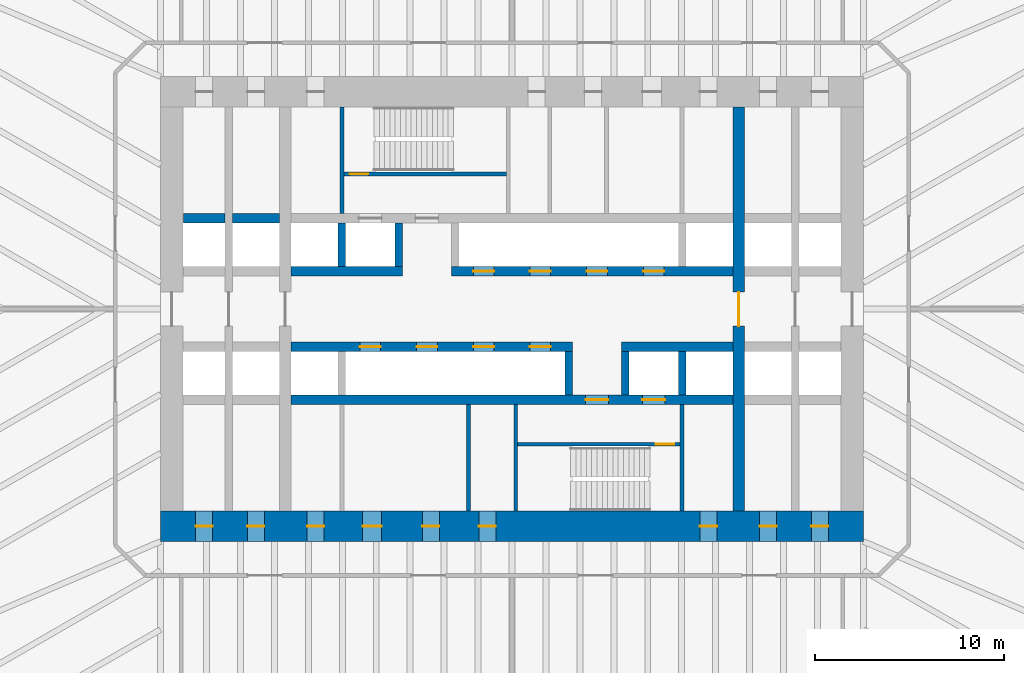
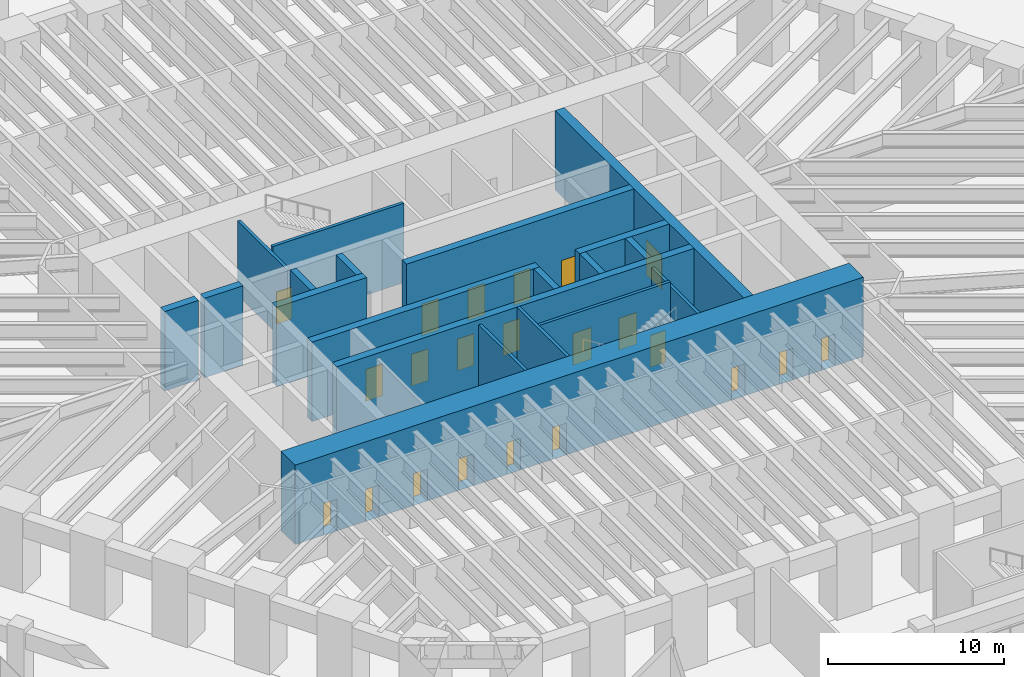
# One storey, part 27 of 31: 22 doors, 20 walls, 22 openings.
"""IFC4 building model written with IfcOpenShell, lengths in metres."""

from ifc_helpers import new_model, si_unit, direction, frame, frame_2d, origin, place, context, subcontext, project, spatial, rectangle, extrude, material, layer, layer_set, type_object, element, fill, save


model = new_model("IFC4")

# Units and contexts
model_context = context("Model", 3, precision=1e-05, world=origin(), true_north=direction((0.0, 1.0)))
body_context = subcontext(model_context, "Body", "Model", "MODEL_VIEW")
ifc_project = project(units=[si_unit("LENGTHUNIT", "METRE"), si_unit("AREAUNIT", "SQUARE_METRE"), si_unit("VOLUMEUNIT", "CUBIC_METRE"), si_unit("PLANEANGLEUNIT", "RADIAN"), si_unit("MASSUNIT", "GRAM", prefix="KILO")], contexts=[model_context])

# Site, building, storey
site_placement = place(None, origin())
site = spatial("IfcSite", under=ifc_project, at=site_placement, CompositionType="ELEMENT")
building_placement = place(site_placement, origin())
building = spatial("IfcBuilding", under=site, at=building_placement, Name="Tarfa Lantern Tower", CompositionType="ELEMENT")
storey_placement = place(building_placement, frame((0.0, 0.0, 13.0)))
storey = spatial("IfcBuildingStorey", under=building, at=storey_placement, Name="L02", CompositionType="ELEMENT", Elevation=13.0)

# Walls
ifc_material_1 = material(Name="Concrete blockwork", Category="masonry")
ifc_layer_1 = layer(ifc_material_1, 0.199951171875)
ifc_layer_set_1 = layer_set([ifc_layer_1], Name="IW1 BLOCKWORK PARTITION 200 EI 120")
wall_type_1 = type_object("IfcWallType", Name="IW1 BLOCKWORK PARTITION 200 EI 120", PredefinedType="PARTITIONING", material=ifc_layer_set_1)
for number, where, z_axis, x_axis, name in (
    (1, (-9.0, 5.050048828125, 0.0), (0.0, 0.0, 1.0), (0.0, 1.0, 0.0), "Core partition"),
    (2, (9.0, -5.050048828125, 0.0), (0.0, 0.0, 1.0), (0.0, -1.0, 0.0), "Core partition"),
    (3, (-2.300048828125, -5.050048828125, 0.0), (0.0, 0.0, 1.0), (0.0, -1.0, 0.0), "Core partition"),
):
    element("IfcWall", number, at=place(storey_placement, frame(where, z_axis=z_axis, x_axis=x_axis)), inside=storey, type_object=wall_type_1, Name=name, PredefinedType="PARTITIONING", context=body_context, shape_type="SweptSolid", body=[
        extrude(rectangle(XDim=5.64990234375, YDim=0.199951171875, at=frame_2d((2.824951171875, 0.0))), origin(), (0.0, 0.0, 1.0), 5.14990234375),
    ])

# Wall, opening, door
ifc_material_2 = material(Name="Concrete C80/95", Category="concrete")
ifc_layer_2 = layer(ifc_material_2, 0.199951171875)
ifc_layer_set_2 = layer_set([ifc_layer_2], Name="SW12 CORE WALL 200")
wall_type_2 = type_object("IfcWallType", Name="SW12 CORE WALL 200", PredefinedType="SHEAR", material=ifc_layer_set_2)
wall_1_placement = place(storey_placement, frame((-8.89990234375, 7.14990234375, 0.0), z_axis=(0.0, 0.0, 1.0), x_axis=(1.0, 0.0, 0.0)))
wall_1 = element("IfcWall", 4, at=wall_1_placement, inside=storey, type_object=wall_type_2, Name="Core wall stair partition N", PredefinedType="SHEAR", context=body_context, shape_type="SweptSolid", body=[
    extrude(rectangle(XDim=8.599853515625, YDim=0.199951171875, at=frame_2d((4.2998046875, 0.0))), origin(), (0.0, 0.0, 1.0), 5.5),
])
opening_1_placement = place(wall_1_placement, frame((0.300048828125, 0.0, 0.0)))
opening_1 = element("IfcOpeningElement", 5, at=opening_1_placement, cuts=wall_1, Name="Opening D23", PredefinedType="OPENING", context=body_context, shape_type="SweptSolid", body=[
    extrude(rectangle(XDim=1.0, YDim=2.199951171875, at=frame_2d((0.5, 1.10009765625))), frame((0.0, 0.10986328125, 0.0), z_axis=(0.0, -1.0, 0.0), x_axis=(1.0, 0.0, 0.0)), (0.0, 0.0, 1.0), 0.219970703125),
])
ifc_material_3 = material(Name="Steel fire door", Category="steel")
door_type_1 = type_object("IfcDoorType", Name="DF2 STAIR DOOR 1000x2200", OperationType="SINGLE_SWING_LEFT", PredefinedType="DOOR", material=ifc_material_3)
door_1_placement = place(opening_1_placement, origin())
door_1 = element("IfcDoor", 6, at=door_1_placement, inside=storey, type_object=door_type_1, Name="Stair door", OperationType="SINGLE_SWING_RIGHT", OverallHeight=2.199951171875, OverallWidth=1.0, PredefinedType="DOOR", context=body_context, shape_type="SweptSolid", body=[
    extrude(rectangle(XDim=1.0, YDim=2.199951171875, at=frame_2d((0.5, 1.10009765625))), frame((0.0, 0.02490234375, 0.0), z_axis=(0.0, -1.0, 0.0), x_axis=(1.0, 0.0, 0.0)), (0.0, 0.0, 1.0), 0.050048828125),
])
fill(opening_1, door_1)

# Wall
wall_2_placement = place(storey_placement, frame((0.199951171875, -5.050048828125, 0.0), z_axis=(0.0, 0.0, 1.0), x_axis=(0.0, -1.0, 0.0)))
element("IfcWall", 7, at=wall_2_placement, inside=storey, type_object=wall_type_2, Name="Core wall stair shaft S", PredefinedType="SHEAR", context=body_context, shape_type="SweptSolid", body=[
    extrude(rectangle(XDim=5.64990234375, YDim=0.199951171875, at=frame_2d((2.824951171875, 0.0))), origin(), (0.0, 0.0, 1.0), 5.5),
])

# Wall, opening, door
wall_3_placement = place(storey_placement, frame((8.89990234375, -7.14990234375, 0.0), z_axis=(0.0, 0.0, 1.0), x_axis=(-1.0, 0.0, 0.0)))
wall_3 = element("IfcWall", 8, at=wall_3_placement, inside=storey, type_object=wall_type_2, Name="Core wall stair partition S", PredefinedType="SHEAR", context=body_context, shape_type="SweptSolid", body=[
    extrude(rectangle(XDim=8.599853515625, YDim=0.199951171875, at=frame_2d((4.2998046875, 0.0))), origin(), (0.0, 0.0, 1.0), 5.5),
])
opening_2_placement = place(wall_3_placement, frame((0.300048828125, 0.0, 0.0)))
opening_2 = element("IfcOpeningElement", 9, at=opening_2_placement, cuts=wall_3, Name="Opening D24", PredefinedType="OPENING", context=body_context, shape_type="SweptSolid", body=[
    extrude(rectangle(XDim=1.0, YDim=2.199951171875, at=frame_2d((0.5, 1.10009765625))), frame((0.0, 0.10986328125, 0.0), z_axis=(0.0, -1.0, 0.0), x_axis=(1.0, 0.0, 0.0)), (0.0, 0.0, 1.0), 0.219970703125),
])
door_2_placement = place(opening_2_placement, origin())
door_2 = element("IfcDoor", 10, at=door_2_placement, inside=storey, type_object=door_type_1, Name="Stair door", OperationType="SINGLE_SWING_RIGHT", OverallHeight=2.199951171875, OverallWidth=1.0, PredefinedType="DOOR", context=body_context, shape_type="SweptSolid", body=[
    extrude(rectangle(XDim=1.0, YDim=2.199951171875, at=frame_2d((0.5, 1.10009765625))), frame((0.0, 0.02490234375, 0.0), z_axis=(0.0, -1.0, 0.0), x_axis=(1.0, 0.0, 0.0)), (0.0, 0.0, 1.0), 0.050048828125),
])
fill(opening_2, door_2)

# Wall
ifc_layer_3 = layer(ifc_material_2, 0.5)
ifc_layer_set_3 = layer_set([ifc_layer_3], Name="SW5 CORE WALL 500")
wall_type_3 = type_object("IfcWallType", Name="SW5 CORE WALL 500", PredefinedType="SHEAR", material=ifc_layer_set_3)
wall_4_placement = place(storey_placement, frame((-11.699951171875, 2.0, 0.0), z_axis=(0.0, 0.0, 1.0), x_axis=(1.0, 0.0, 0.0)))
element("IfcWall", 11, at=wall_4_placement, inside=storey, type_object=wall_type_3, Name="Core wall lobby west N", PredefinedType="SHEAR", context=body_context, shape_type="SweptSolid", body=[
    extrude(rectangle(XDim=5.89990234375, YDim=0.5, at=frame_2d((2.949951171875, 0.0))), origin(), (0.0, 0.0, 1.0), 5.5),
])

# Wall, openings, doors
wall_5_placement = place(storey_placement, frame((-3.199951171875, 2.0, 0.0), z_axis=(0.0, 0.0, 1.0), x_axis=(1.0, 0.0, 0.0)))
wall_5 = element("IfcWall", 12, at=wall_5_placement, inside=storey, type_object=wall_type_3, Name="Core wall lobby east N", PredefinedType="SHEAR", context=body_context, shape_type="SweptSolid", body=[
    extrude(rectangle(XDim=14.89990234375, YDim=0.5, at=frame_2d((7.449951171875, 0.0))), origin(), (0.0, 0.0, 1.0), 5.5),
])
opening_3_placement = place(wall_5_placement, frame((1.14990234375, 0.0, 0.0)))
opening_3 = element("IfcOpeningElement", 13, at=opening_3_placement, cuts=wall_5, Name="Opening LD03", PredefinedType="OPENING", context=body_context, shape_type="SweptSolid", body=[
    extrude(rectangle(XDim=1.10009765625, YDim=2.199951171875, at=frame_2d((0.550048828125, 1.10009765625))), frame((0.0, 0.260009765625, 0.0), z_axis=(0.0, -1.0, 0.0), x_axis=(1.0, 0.0, 0.0)), (0.0, 0.0, 1.0), 0.52001953125),
])
opening_4_placement = place(wall_5_placement, frame((4.14990234375, 0.0, 0.0)))
opening_4 = element("IfcOpeningElement", 14, at=opening_4_placement, cuts=wall_5, Name="Opening LD04", PredefinedType="OPENING", context=body_context, shape_type="SweptSolid", body=[
    extrude(rectangle(XDim=1.10009765625, YDim=2.199951171875, at=frame_2d((0.550048828125, 1.10009765625))), frame((0.0, 0.260009765625, 0.0), z_axis=(0.0, -1.0, 0.0), x_axis=(1.0, 0.0, 0.0)), (0.0, 0.0, 1.0), 0.52001953125),
])
opening_5_placement = place(wall_5_placement, frame((7.14990234375, 0.0, 0.0)))
opening_5 = element("IfcOpeningElement", 15, at=opening_5_placement, cuts=wall_5, Name="Opening LD05", PredefinedType="OPENING", context=body_context, shape_type="SweptSolid", body=[
    extrude(rectangle(XDim=1.10009765625, YDim=2.199951171875, at=frame_2d((0.550048828125, 1.10009765625))), frame((0.0, 0.260009765625, 0.0), z_axis=(0.0, -1.0, 0.0), x_axis=(1.0, 0.0, 0.0)), (0.0, 0.0, 1.0), 0.52001953125),
])
opening_6_placement = place(wall_5_placement, frame((10.14990234375, 0.0, 0.0)))
opening_6 = element("IfcOpeningElement", 16, at=opening_6_placement, cuts=wall_5, Name="Opening LD06", PredefinedType="OPENING", context=body_context, shape_type="SweptSolid", body=[
    extrude(rectangle(XDim=1.10009765625, YDim=2.199951171875, at=frame_2d((0.550048828125, 1.10009765625))), frame((0.0, 0.260009765625, 0.0), z_axis=(0.0, -1.0, 0.0), x_axis=(1.0, 0.0, 0.0)), (0.0, 0.0, 1.0), 0.52001953125),
])
ifc_material_4 = material(Name="Stainless steel lift door", Category="steel")
door_type_2 = type_object("IfcDoorType", Name="LD2 LIFT LANDING DOOR 1100x2200", OperationType="SLIDING_TO_LEFT", PredefinedType="DOOR", material=ifc_material_4)
door_3_placement = place(opening_3_placement, frame((1.10009765625, 0.0, 0.0), z_axis=(0.0, 0.0, 1.0), x_axis=(-1.0, 0.0, 0.0)))
door_3 = element("IfcDoor", 17, at=door_3_placement, inside=storey, type_object=door_type_2, Name="Landing door PA1", OperationType="SLIDING_TO_LEFT", OverallHeight=2.199951171875, OverallWidth=1.10009765625, PredefinedType="DOOR", context=body_context, shape_type="SweptSolid", body=[
    extrude(rectangle(XDim=1.10009765625, YDim=2.199951171875, at=frame_2d((0.550048828125, 1.10009765625))), frame((0.0, 0.02490234375, 0.0), z_axis=(0.0, -1.0, 0.0), x_axis=(1.0, 0.0, 0.0)), (0.0, 0.0, 1.0), 0.050048828125),
])
fill(opening_3, door_3)
door_4_placement = place(opening_4_placement, frame((1.10009765625, 0.0, 0.0), z_axis=(0.0, 0.0, 1.0), x_axis=(-1.0, 0.0, 0.0)))
door_4 = element("IfcDoor", 18, at=door_4_placement, inside=storey, type_object=door_type_2, Name="Landing door PA2", OperationType="SLIDING_TO_LEFT", OverallHeight=2.199951171875, OverallWidth=1.10009765625, PredefinedType="DOOR", context=body_context, shape_type="SweptSolid", body=[
    extrude(rectangle(XDim=1.10009765625, YDim=2.199951171875, at=frame_2d((0.550048828125, 1.10009765625))), frame((0.0, 0.02490234375, 0.0), z_axis=(0.0, -1.0, 0.0), x_axis=(1.0, 0.0, 0.0)), (0.0, 0.0, 1.0), 0.050048828125),
])
fill(opening_4, door_4)
door_5_placement = place(opening_5_placement, frame((1.10009765625, 0.0, 0.0), z_axis=(0.0, 0.0, 1.0), x_axis=(-1.0, 0.0, 0.0)))
door_5 = element("IfcDoor", 19, at=door_5_placement, inside=storey, type_object=door_type_2, Name="Landing door PA3", OperationType="SLIDING_TO_LEFT", OverallHeight=2.199951171875, OverallWidth=1.10009765625, PredefinedType="DOOR", context=body_context, shape_type="SweptSolid", body=[
    extrude(rectangle(XDim=1.10009765625, YDim=2.199951171875, at=frame_2d((0.550048828125, 1.10009765625))), frame((0.0, 0.02490234375, 0.0), z_axis=(0.0, -1.0, 0.0), x_axis=(1.0, 0.0, 0.0)), (0.0, 0.0, 1.0), 0.050048828125),
])
fill(opening_5, door_5)
door_6_placement = place(opening_6_placement, frame((1.10009765625, 0.0, 0.0), z_axis=(0.0, 0.0, 1.0), x_axis=(-1.0, 0.0, 0.0)))
door_6 = element("IfcDoor", 20, at=door_6_placement, inside=storey, type_object=door_type_2, Name="Landing door PA4", OperationType="SLIDING_TO_LEFT", OverallHeight=2.199951171875, OverallWidth=1.10009765625, PredefinedType="DOOR", context=body_context, shape_type="SweptSolid", body=[
    extrude(rectangle(XDim=1.10009765625, YDim=2.199951171875, at=frame_2d((0.550048828125, 1.10009765625))), frame((0.0, 0.02490234375, 0.0), z_axis=(0.0, -1.0, 0.0), x_axis=(1.0, 0.0, 0.0)), (0.0, 0.0, 1.0), 0.050048828125),
])
fill(opening_6, door_6)

# Walls
wall_6_placement = place(storey_placement, frame((-17.39990234375, 4.800048828125, 0.0), z_axis=(0.0, 0.0, 1.0), x_axis=(1.0, 0.0, 0.0)))
element("IfcWall", 21, at=wall_6_placement, inside=storey, type_object=wall_type_3, Name="Core wall rear N", PredefinedType="SHEAR", context=body_context, shape_type="SweptSolid", body=[
    extrude(rectangle(XDim=2.199951171875, YDim=0.5, at=frame_2d((1.10009765625, 0.0))), origin(), (0.0, 0.0, 1.0), 5.5),
])
wall_7_placement = place(storey_placement, frame((-14.800048828125, 4.800048828125, 0.0), z_axis=(0.0, 0.0, 1.0), x_axis=(1.0, 0.0, 0.0)))
element("IfcWall", 22, at=wall_7_placement, inside=storey, type_object=wall_type_3, Name="Core wall rear N", PredefinedType="SHEAR", context=body_context, shape_type="SweptSolid", body=[
    extrude(rectangle(XDim=2.5, YDim=0.5, at=frame_2d((1.25, 0.0))), origin(), (0.0, 0.0, 1.0), 5.5),
])
wall_8_placement = place(storey_placement, frame((11.699951171875, -2.0, 0.0), z_axis=(0.0, 0.0, 1.0), x_axis=(-1.0, 0.0, 0.0)))
element("IfcWall", 23, at=wall_8_placement, inside=storey, type_object=wall_type_3, Name="Core wall lobby west S", PredefinedType="SHEAR", context=body_context, shape_type="SweptSolid", body=[
    extrude(rectangle(XDim=5.89990234375, YDim=0.5, at=frame_2d((2.949951171875, 0.0))), origin(), (0.0, 0.0, 1.0), 5.5),
])

# Wall, openings, doors
wall_9_placement = place(storey_placement, frame((3.199951171875, -2.0, 0.0), z_axis=(0.0, 0.0, 1.0), x_axis=(-1.0, 0.0, 0.0)))
wall_9 = element("IfcWall", 24, at=wall_9_placement, inside=storey, type_object=wall_type_3, Name="Core wall lobby east S", PredefinedType="SHEAR", context=body_context, shape_type="SweptSolid", body=[
    extrude(rectangle(XDim=14.89990234375, YDim=0.5, at=frame_2d((7.449951171875, 0.0))), origin(), (0.0, 0.0, 1.0), 5.5),
])
opening_7_placement = place(wall_9_placement, frame((1.14990234375, 0.0, 0.0)))
opening_7 = element("IfcOpeningElement", 25, at=opening_7_placement, cuts=wall_9, Name="Opening LD07", PredefinedType="OPENING", context=body_context, shape_type="SweptSolid", body=[
    extrude(rectangle(XDim=1.10009765625, YDim=2.199951171875, at=frame_2d((0.550048828125, 1.10009765625))), frame((0.0, 0.260009765625, 0.0), z_axis=(0.0, -1.0, 0.0), x_axis=(1.0, 0.0, 0.0)), (0.0, 0.0, 1.0), 0.52001953125),
])
opening_8_placement = place(wall_9_placement, frame((4.14990234375, 0.0, 0.0)))
opening_8 = element("IfcOpeningElement", 26, at=opening_8_placement, cuts=wall_9, Name="Opening LD08", PredefinedType="OPENING", context=body_context, shape_type="SweptSolid", body=[
    extrude(rectangle(XDim=1.10009765625, YDim=2.199951171875, at=frame_2d((0.550048828125, 1.10009765625))), frame((0.0, 0.260009765625, 0.0), z_axis=(0.0, -1.0, 0.0), x_axis=(1.0, 0.0, 0.0)), (0.0, 0.0, 1.0), 0.52001953125),
])
opening_9_placement = place(wall_9_placement, frame((7.14990234375, 0.0, 0.0)))
opening_9 = element("IfcOpeningElement", 27, at=opening_9_placement, cuts=wall_9, Name="Opening LD09", PredefinedType="OPENING", context=body_context, shape_type="SweptSolid", body=[
    extrude(rectangle(XDim=1.10009765625, YDim=2.199951171875, at=frame_2d((0.550048828125, 1.10009765625))), frame((0.0, 0.260009765625, 0.0), z_axis=(0.0, -1.0, 0.0), x_axis=(1.0, 0.0, 0.0)), (0.0, 0.0, 1.0), 0.52001953125),
])
opening_10_placement = place(wall_9_placement, frame((10.14990234375, 0.0, 0.0)))
opening_10 = element("IfcOpeningElement", 28, at=opening_10_placement, cuts=wall_9, Name="Opening LD10", PredefinedType="OPENING", context=body_context, shape_type="SweptSolid", body=[
    extrude(rectangle(XDim=1.10009765625, YDim=2.199951171875, at=frame_2d((0.550048828125, 1.10009765625))), frame((0.0, 0.260009765625, 0.0), z_axis=(0.0, -1.0, 0.0), x_axis=(1.0, 0.0, 0.0)), (0.0, 0.0, 1.0), 0.52001953125),
])
door_7_placement = place(opening_7_placement, frame((1.10009765625, 0.0, 0.0), z_axis=(0.0, 0.0, 1.0), x_axis=(-1.0, 0.0, 0.0)))
door_7 = element("IfcDoor", 29, at=door_7_placement, inside=storey, type_object=door_type_2, Name="Landing door PA5", OperationType="SLIDING_TO_LEFT", OverallHeight=2.199951171875, OverallWidth=1.10009765625, PredefinedType="DOOR", context=body_context, shape_type="SweptSolid", body=[
    extrude(rectangle(XDim=1.10009765625, YDim=2.199951171875, at=frame_2d((0.550048828125, 1.10009765625))), frame((0.0, 0.02490234375, 0.0), z_axis=(0.0, -1.0, 0.0), x_axis=(1.0, 0.0, 0.0)), (0.0, 0.0, 1.0), 0.050048828125),
])
fill(opening_7, door_7)
door_8_placement = place(opening_8_placement, frame((1.10009765625, 0.0, 0.0), z_axis=(0.0, 0.0, 1.0), x_axis=(-1.0, 0.0, 0.0)))
door_8 = element("IfcDoor", 30, at=door_8_placement, inside=storey, type_object=door_type_2, Name="Landing door PA6", OperationType="SLIDING_TO_LEFT", OverallHeight=2.199951171875, OverallWidth=1.10009765625, PredefinedType="DOOR", context=body_context, shape_type="SweptSolid", body=[
    extrude(rectangle(XDim=1.10009765625, YDim=2.199951171875, at=frame_2d((0.550048828125, 1.10009765625))), frame((0.0, 0.02490234375, 0.0), z_axis=(0.0, -1.0, 0.0), x_axis=(1.0, 0.0, 0.0)), (0.0, 0.0, 1.0), 0.050048828125),
])
fill(opening_8, door_8)
door_9_placement = place(opening_9_placement, frame((1.10009765625, 0.0, 0.0), z_axis=(0.0, 0.0, 1.0), x_axis=(-1.0, 0.0, 0.0)))
door_9 = element("IfcDoor", 31, at=door_9_placement, inside=storey, type_object=door_type_2, Name="Landing door PA7", OperationType="SLIDING_TO_LEFT", OverallHeight=2.199951171875, OverallWidth=1.10009765625, PredefinedType="DOOR", context=body_context, shape_type="SweptSolid", body=[
    extrude(rectangle(XDim=1.10009765625, YDim=2.199951171875, at=frame_2d((0.550048828125, 1.10009765625))), frame((0.0, 0.02490234375, 0.0), z_axis=(0.0, -1.0, 0.0), x_axis=(1.0, 0.0, 0.0)), (0.0, 0.0, 1.0), 0.050048828125),
])
fill(opening_9, door_9)
door_10_placement = place(opening_10_placement, frame((1.10009765625, 0.0, 0.0), z_axis=(0.0, 0.0, 1.0), x_axis=(-1.0, 0.0, 0.0)))
door_10 = element("IfcDoor", 32, at=door_10_placement, inside=storey, type_object=door_type_2, Name="Landing door PA8", OperationType="SLIDING_TO_LEFT", OverallHeight=2.199951171875, OverallWidth=1.10009765625, PredefinedType="DOOR", context=body_context, shape_type="SweptSolid", body=[
    extrude(rectangle(XDim=1.10009765625, YDim=2.199951171875, at=frame_2d((0.550048828125, 1.10009765625))), frame((0.0, 0.02490234375, 0.0), z_axis=(0.0, -1.0, 0.0), x_axis=(1.0, 0.0, 0.0)), (0.0, 0.0, 1.0), 0.050048828125),
])
fill(opening_10, door_10)

wall_10_placement = place(storey_placement, frame((11.699951171875, -4.800048828125, 0.0), z_axis=(0.0, 0.0, 1.0), x_axis=(-1.0, 0.0, 0.0)))
wall_10 = element("IfcWall", 33, at=wall_10_placement, inside=storey, type_object=wall_type_3, Name="Core wall rear S", PredefinedType="SHEAR", context=body_context, shape_type="SweptSolid", body=[
    extrude(rectangle(XDim=23.39990234375, YDim=0.5, at=frame_2d((11.699951171875, 0.0))), origin(), (0.0, 0.0, 1.0), 5.5),
])
opening_11_placement = place(wall_10_placement, frame((6.60009765625, 0.0, 0.0)))
opening_11 = element("IfcOpeningElement", 34, at=opening_11_placement, cuts=wall_10, Name="Opening D14", PredefinedType="OPENING", context=body_context, shape_type="SweptSolid", body=[
    extrude(rectangle(XDim=1.199951171875, YDim=2.199951171875, at=frame_2d((0.60009765625, 1.10009765625))), frame((0.0, 0.260009765625, 0.0), z_axis=(0.0, -1.0, 0.0), x_axis=(1.0, 0.0, 0.0)), (0.0, 0.0, 1.0), 0.52001953125),
])
opening_12_placement = place(wall_10_placement, frame((3.60009765625, 0.0, 0.0)))
opening_12 = element("IfcOpeningElement", 35, at=opening_12_placement, cuts=wall_10, Name="Opening LD02", PredefinedType="OPENING", context=body_context, shape_type="SweptSolid", body=[
    extrude(rectangle(XDim=1.199951171875, YDim=2.199951171875, at=frame_2d((0.60009765625, 1.10009765625))), frame((0.0, 0.260009765625, 0.0), z_axis=(0.0, -1.0, 0.0), x_axis=(1.0, 0.0, 0.0)), (0.0, 0.0, 1.0), 0.52001953125),
])
door_type_3 = type_object("IfcDoorType", Name="DF1 FIREFIGHTING LOBBY DOOR 1200x2200", OperationType="SINGLE_SWING_LEFT", PredefinedType="DOOR", material=ifc_material_3)
door_11_placement = place(opening_11_placement, origin())
door_11 = element("IfcDoor", 36, at=door_11_placement, inside=storey, type_object=door_type_3, Name="Firefighting lobby door", OperationType="SINGLE_SWING_LEFT", OverallHeight=2.199951171875, OverallWidth=1.199951171875, PredefinedType="DOOR", context=body_context, shape_type="SweptSolid", body=[
    extrude(rectangle(XDim=1.199951171875, YDim=2.199951171875, at=frame_2d((0.60009765625, 1.10009765625))), frame((0.0, 0.02490234375, 0.0), z_axis=(0.0, -1.0, 0.0), x_axis=(1.0, 0.0, 0.0)), (0.0, 0.0, 1.0), 0.050048828125),
])
fill(opening_11, door_11)
door_type_4 = type_object("IfcDoorType", Name="LD1 LIFT LANDING DOOR 1200x2200", OperationType="SLIDING_TO_LEFT", PredefinedType="DOOR", material=ifc_material_4)
door_12_placement = place(opening_12_placement, origin())
door_12 = element("IfcDoor", 37, at=door_12_placement, inside=storey, type_object=door_type_4, Name="Landing door FL2", OperationType="SLIDING_TO_LEFT", OverallHeight=2.199951171875, OverallWidth=1.199951171875, PredefinedType="DOOR", context=body_context, shape_type="SweptSolid", body=[
    extrude(rectangle(XDim=1.199951171875, YDim=2.199951171875, at=frame_2d((0.60009765625, 1.10009765625))), frame((0.0, 0.02490234375, 0.0), z_axis=(0.0, -1.0, 0.0), x_axis=(1.0, 0.0, 0.0)), (0.0, 0.0, 1.0), 0.050048828125),
])
fill(opening_12, door_12)

# Walls
ifc_layer_4 = layer(ifc_material_2, 0.39990234375)
ifc_layer_set_4 = layer_set([ifc_layer_4], Name="SW6 CORE WALL 400")
wall_type_4 = type_object("IfcWallType", Name="SW6 CORE WALL 400", PredefinedType="SHEAR", material=ifc_layer_set_4)
for number, where, z_axis, x_axis, name in (
    (38, (-9.0, 2.25, 0.0), (0.0, 0.0, 1.0), (0.0, 1.0, 0.0), "Core wall divider N"),
    (39, (-6.0, 2.25, 0.0), (0.0, 0.0, 1.0), (0.0, 1.0, 0.0), "Core wall divider N"),
    (40, (9.0, -2.25, 0.0), (0.0, 0.0, 1.0), (0.0, -1.0, 0.0), "Core wall divider S"),
    (41, (6.0, -2.25, 0.0), (0.0, 0.0, 1.0), (0.0, -1.0, 0.0), "Core wall divider S"),
    (42, (3.0, -2.25, 0.0), (0.0, 0.0, 1.0), (0.0, -1.0, 0.0), "Core wall divider S"),
):
    element("IfcWall", number, at=place(storey_placement, frame(where, z_axis=z_axis, x_axis=x_axis)), inside=storey, type_object=wall_type_4, Name=name, PredefinedType="SHEAR", context=body_context, shape_type="SweptSolid", body=[
        extrude(rectangle(XDim=2.300048828125, YDim=0.39990234375, at=frame_2d((1.14990234375, 0.0))), origin(), (0.0, 0.0, 1.0), 5.5),
    ])

# Wall, openings, doors
ifc_layer_5 = layer(ifc_material_2, 1.60009765625)
ifc_layer_set_5 = layer_set([ifc_layer_5], Name="SW7 CORE WALL 1600")
wall_type_5 = type_object("IfcWallType", Name="SW7 CORE WALL 1600", PredefinedType="SHEAR", material=ifc_layer_set_5)
wall_11_placement = place(storey_placement, frame((18.60009765625, -11.5, 0.0), z_axis=(0.0, 0.0, 1.0), x_axis=(-1.0, 0.0, 0.0)))
wall_11 = element("IfcWall", 43, at=wall_11_placement, inside=storey, type_object=wall_type_5, Name="Core wall S", PredefinedType="SHEAR", context=body_context, shape_type="SweptSolid", body=[
    extrude(rectangle(XDim=37.2001953125, YDim=1.60009765625, at=frame_2d((18.60009765625, 0.0))), origin(), (0.0, 0.0, 1.0), 5.5),
])
opening_13_placement = place(wall_11_placement, frame((19.449951171875, 0.0, 0.0)))
opening_13 = element("IfcOpeningElement", 44, at=opening_13_placement, cuts=wall_11, Name="Opening D18", PredefinedType="OPENING", context=body_context, shape_type="SweptSolid", body=[
    extrude(rectangle(XDim=0.89990234375, YDim=2.199951171875, at=frame_2d((0.449951171875, 1.10009765625))), frame((0.0, 0.81005859375, 0.0), z_axis=(0.0, -1.0, 0.0), x_axis=(1.0, 0.0, 0.0)), (0.0, 0.0, 1.0), 1.6201171875),
])
opening_14_placement = place(wall_11_placement, frame((22.449951171875, 0.0, 0.0)))
opening_14 = element("IfcOpeningElement", 45, at=opening_14_placement, cuts=wall_11, Name="Opening D20", PredefinedType="OPENING", context=body_context, shape_type="SweptSolid", body=[
    extrude(rectangle(XDim=0.89990234375, YDim=2.199951171875, at=frame_2d((0.449951171875, 1.10009765625))), frame((0.0, 0.81005859375, 0.0), z_axis=(0.0, -1.0, 0.0), x_axis=(1.0, 0.0, 0.0)), (0.0, 0.0, 1.0), 1.6201171875),
])
opening_15_placement = place(wall_11_placement, frame((25.5, 0.0, 0.0)))
opening_15 = element("IfcOpeningElement", 46, at=opening_15_placement, cuts=wall_11, Name="Opening D22", PredefinedType="OPENING", context=body_context, shape_type="SweptSolid", body=[
    extrude(rectangle(XDim=1.0, YDim=2.199951171875, at=frame_2d((0.5, 1.10009765625))), frame((0.0, 0.81005859375, 0.0), z_axis=(0.0, -1.0, 0.0), x_axis=(1.0, 0.0, 0.0)), (0.0, 0.0, 1.0), 1.6201171875),
])
opening_16_placement = place(wall_11_placement, frame((1.85009765625, 0.0, 0.0)))
opening_16 = element("IfcOpeningElement", 47, at=opening_16_placement, cuts=wall_11, Name="Opening D12", PredefinedType="OPENING", context=body_context, shape_type="SweptSolid", body=[
    extrude(rectangle(XDim=0.89990234375, YDim=2.199951171875, at=frame_2d((0.449951171875, 1.10009765625))), frame((0.0, 0.81005859375, 0.0), z_axis=(0.0, -1.0, 0.0), x_axis=(1.0, 0.0, 0.0)), (0.0, 0.0, 1.0), 1.6201171875),
])
opening_17_placement = place(wall_11_placement, frame((4.60009765625, 0.0, 0.0)))
opening_17 = element("IfcOpeningElement", 48, at=opening_17_placement, cuts=wall_11, Name="Opening D08", PredefinedType="OPENING", context=body_context, shape_type="SweptSolid", body=[
    extrude(rectangle(XDim=0.89990234375, YDim=2.199951171875, at=frame_2d((0.449951171875, 1.10009765625))), frame((0.0, 0.81005859375, 0.0), z_axis=(0.0, -1.0, 0.0), x_axis=(1.0, 0.0, 0.0)), (0.0, 0.0, 1.0), 1.6201171875),
])
opening_18_placement = place(wall_11_placement, frame((7.75, 0.0, 0.0)))
opening_18 = element("IfcOpeningElement", 49, at=opening_18_placement, cuts=wall_11, Name="Opening D10", PredefinedType="OPENING", context=body_context, shape_type="SweptSolid", body=[
    extrude(rectangle(XDim=0.89990234375, YDim=2.199951171875, at=frame_2d((0.449951171875, 1.10009765625))), frame((0.0, 0.81005859375, 0.0), z_axis=(0.0, -1.0, 0.0), x_axis=(1.0, 0.0, 0.0)), (0.0, 0.0, 1.0), 1.6201171875),
])
opening_19_placement = place(wall_11_placement, frame((28.550048828125, 0.0, 0.0)))
opening_19 = element("IfcOpeningElement", 50, at=opening_19_placement, cuts=wall_11, Name="Opening D06", PredefinedType="OPENING", context=body_context, shape_type="SweptSolid", body=[
    extrude(rectangle(XDim=0.89990234375, YDim=2.199951171875, at=frame_2d((0.449951171875, 1.10009765625))), frame((0.0, 0.81005859375, 0.0), z_axis=(0.0, -1.0, 0.0), x_axis=(1.0, 0.0, 0.0)), (0.0, 0.0, 1.0), 1.6201171875),
])
opening_20_placement = place(wall_11_placement, frame((31.699951171875, 0.0, 0.0)))
opening_20 = element("IfcOpeningElement", 51, at=opening_20_placement, cuts=wall_11, Name="Opening D02", PredefinedType="OPENING", context=body_context, shape_type="SweptSolid", body=[
    extrude(rectangle(XDim=0.89990234375, YDim=2.199951171875, at=frame_2d((0.449951171875, 1.10009765625))), frame((0.0, 0.81005859375, 0.0), z_axis=(0.0, -1.0, 0.0), x_axis=(1.0, 0.0, 0.0)), (0.0, 0.0, 1.0), 1.6201171875),
])
opening_21_placement = place(wall_11_placement, frame((34.449951171875, 0.0, 0.0)))
opening_21 = element("IfcOpeningElement", 52, at=opening_21_placement, cuts=wall_11, Name="Opening D04", PredefinedType="OPENING", context=body_context, shape_type="SweptSolid", body=[
    extrude(rectangle(XDim=0.89990234375, YDim=2.199951171875, at=frame_2d((0.449951171875, 1.10009765625))), frame((0.0, 0.81005859375, 0.0), z_axis=(0.0, -1.0, 0.0), x_axis=(1.0, 0.0, 0.0)), (0.0, 0.0, 1.0), 1.6201171875),
])
door_type_5 = type_object("IfcDoorType", Name="DF3 CORE ROOM DOOR 900x2200", OperationType="SINGLE_SWING_LEFT", PredefinedType="DOOR", material=ifc_material_3)
door_13_placement = place(opening_13_placement, frame((0.89990234375, 0.0, 0.0), z_axis=(0.0, 0.0, 1.0), x_axis=(-1.0, 0.0, 0.0)))
door_13 = element("IfcDoor", 53, at=door_13_placement, inside=storey, type_object=door_type_5, Name="Core door", OperationType="SINGLE_SWING_RIGHT", OverallHeight=2.199951171875, OverallWidth=0.89990234375, PredefinedType="DOOR", context=body_context, shape_type="SweptSolid", body=[
    extrude(rectangle(XDim=0.89990234375, YDim=2.199951171875, at=frame_2d((0.449951171875, 1.10009765625))), frame((0.0, 0.02490234375, 0.0), z_axis=(0.0, -1.0, 0.0), x_axis=(1.0, 0.0, 0.0)), (0.0, 0.0, 1.0), 0.050048828125),
])
fill(opening_13, door_13)
door_14_placement = place(opening_14_placement, frame((0.89990234375, 0.0, 0.0), z_axis=(0.0, 0.0, 1.0), x_axis=(-1.0, 0.0, 0.0)))
door_14 = element("IfcDoor", 54, at=door_14_placement, inside=storey, type_object=door_type_5, Name="Core door", OperationType="SINGLE_SWING_LEFT", OverallHeight=2.199951171875, OverallWidth=0.89990234375, PredefinedType="DOOR", context=body_context, shape_type="SweptSolid", body=[
    extrude(rectangle(XDim=0.89990234375, YDim=2.199951171875, at=frame_2d((0.449951171875, 1.10009765625))), frame((0.0, 0.02490234375, 0.0), z_axis=(0.0, -1.0, 0.0), x_axis=(1.0, 0.0, 0.0)), (0.0, 0.0, 1.0), 0.050048828125),
])
fill(opening_14, door_14)
door_type_6 = type_object("IfcDoorType", Name="DF4 CORE ROOM DOOR 1000x2200", OperationType="SINGLE_SWING_LEFT", PredefinedType="DOOR", material=ifc_material_3)
door_15_placement = place(opening_15_placement, frame((1.0, 0.0, 0.0), z_axis=(0.0, 0.0, 1.0), x_axis=(-1.0, 0.0, 0.0)))
door_15 = element("IfcDoor", 55, at=door_15_placement, inside=storey, type_object=door_type_6, Name="Core door", OperationType="SINGLE_SWING_RIGHT", OverallHeight=2.199951171875, OverallWidth=1.0, PredefinedType="DOOR", context=body_context, shape_type="SweptSolid", body=[
    extrude(rectangle(XDim=1.0, YDim=2.199951171875, at=frame_2d((0.5, 1.10009765625))), frame((0.0, 0.02490234375, 0.0), z_axis=(0.0, -1.0, 0.0), x_axis=(1.0, 0.0, 0.0)), (0.0, 0.0, 1.0), 0.050048828125),
])
fill(opening_15, door_15)
door_type_7 = type_object("IfcDoorType", Name="DF5 RISER DOOR 900x2200", OperationType="SINGLE_SWING_LEFT", PredefinedType="DOOR", material=ifc_material_3)
door_16_placement = place(opening_16_placement, frame((0.89990234375, 0.0, 0.0), z_axis=(0.0, 0.0, 1.0), x_axis=(-1.0, 0.0, 0.0)))
door_16 = element("IfcDoor", 56, at=door_16_placement, inside=storey, type_object=door_type_7, Name="Riser door", OperationType="SINGLE_SWING_LEFT", OverallHeight=2.199951171875, OverallWidth=0.89990234375, PredefinedType="DOOR", context=body_context, shape_type="SweptSolid", body=[
    extrude(rectangle(XDim=0.89990234375, YDim=2.199951171875, at=frame_2d((0.449951171875, 1.10009765625))), frame((0.0, 0.02490234375, 0.0), z_axis=(0.0, -1.0, 0.0), x_axis=(1.0, 0.0, 0.0)), (0.0, 0.0, 1.0), 0.050048828125),
])
fill(opening_16, door_16)
door_17_placement = place(opening_17_placement, frame((0.89990234375, 0.0, 0.0), z_axis=(0.0, 0.0, 1.0), x_axis=(-1.0, 0.0, 0.0)))
door_17 = element("IfcDoor", 57, at=door_17_placement, inside=storey, type_object=door_type_7, Name="Riser door", OperationType="SINGLE_SWING_LEFT", OverallHeight=2.199951171875, OverallWidth=0.89990234375, PredefinedType="DOOR", context=body_context, shape_type="SweptSolid", body=[
    extrude(rectangle(XDim=0.89990234375, YDim=2.199951171875, at=frame_2d((0.449951171875, 1.10009765625))), frame((0.0, 0.02490234375, 0.0), z_axis=(0.0, -1.0, 0.0), x_axis=(1.0, 0.0, 0.0)), (0.0, 0.0, 1.0), 0.050048828125),
])
fill(opening_17, door_17)
door_18_placement = place(opening_18_placement, frame((0.89990234375, 0.0, 0.0), z_axis=(0.0, 0.0, 1.0), x_axis=(-1.0, 0.0, 0.0)))
door_18 = element("IfcDoor", 58, at=door_18_placement, inside=storey, type_object=door_type_7, Name="Riser door", OperationType="SINGLE_SWING_LEFT", OverallHeight=2.199951171875, OverallWidth=0.89990234375, PredefinedType="DOOR", context=body_context, shape_type="SweptSolid", body=[
    extrude(rectangle(XDim=0.89990234375, YDim=2.199951171875, at=frame_2d((0.449951171875, 1.10009765625))), frame((0.0, 0.02490234375, 0.0), z_axis=(0.0, -1.0, 0.0), x_axis=(1.0, 0.0, 0.0)), (0.0, 0.0, 1.0), 0.050048828125),
])
fill(opening_18, door_18)
door_19_placement = place(opening_19_placement, frame((0.89990234375, 0.0, 0.0), z_axis=(0.0, 0.0, 1.0), x_axis=(-1.0, 0.0, 0.0)))
door_19 = element("IfcDoor", 59, at=door_19_placement, inside=storey, type_object=door_type_7, Name="Riser door", OperationType="SINGLE_SWING_RIGHT", OverallHeight=2.199951171875, OverallWidth=0.89990234375, PredefinedType="DOOR", context=body_context, shape_type="SweptSolid", body=[
    extrude(rectangle(XDim=0.89990234375, YDim=2.199951171875, at=frame_2d((0.449951171875, 1.10009765625))), frame((0.0, 0.02490234375, 0.0), z_axis=(0.0, -1.0, 0.0), x_axis=(1.0, 0.0, 0.0)), (0.0, 0.0, 1.0), 0.050048828125),
])
fill(opening_19, door_19)
door_20_placement = place(opening_20_placement, frame((0.89990234375, 0.0, 0.0), z_axis=(0.0, 0.0, 1.0), x_axis=(-1.0, 0.0, 0.0)))
door_20 = element("IfcDoor", 60, at=door_20_placement, inside=storey, type_object=door_type_7, Name="Riser door", OperationType="SINGLE_SWING_RIGHT", OverallHeight=2.199951171875, OverallWidth=0.89990234375, PredefinedType="DOOR", context=body_context, shape_type="SweptSolid", body=[
    extrude(rectangle(XDim=0.89990234375, YDim=2.199951171875, at=frame_2d((0.449951171875, 1.10009765625))), frame((0.0, 0.02490234375, 0.0), z_axis=(0.0, -1.0, 0.0), x_axis=(1.0, 0.0, 0.0)), (0.0, 0.0, 1.0), 0.050048828125),
])
fill(opening_20, door_20)
door_21_placement = place(opening_21_placement, frame((0.89990234375, 0.0, 0.0), z_axis=(0.0, 0.0, 1.0), x_axis=(-1.0, 0.0, 0.0)))
door_21 = element("IfcDoor", 61, at=door_21_placement, inside=storey, type_object=door_type_7, Name="Riser door", OperationType="SINGLE_SWING_RIGHT", OverallHeight=2.199951171875, OverallWidth=0.89990234375, PredefinedType="DOOR", context=body_context, shape_type="SweptSolid", body=[
    extrude(rectangle(XDim=0.89990234375, YDim=2.199951171875, at=frame_2d((0.449951171875, 1.10009765625))), frame((0.0, 0.02490234375, 0.0), z_axis=(0.0, -1.0, 0.0), x_axis=(1.0, 0.0, 0.0)), (0.0, 0.0, 1.0), 0.050048828125),
])
fill(opening_21, door_21)

# Wall, opening, door
ifc_layer_6 = layer(ifc_material_2, 0.60009765625)
ifc_layer_set_6 = layer_set([ifc_layer_6], Name="SW9 CORE WALL 600")
wall_type_6 = type_object("IfcWallType", Name="SW9 CORE WALL 600", PredefinedType="SHEAR", material=ifc_layer_set_6)
wall_12_placement = place(storey_placement, frame((12.0, -10.699951171875, 0.0), z_axis=(0.0, 0.0, 1.0), x_axis=(0.0, 1.0, 0.0)))
wall_12 = element("IfcWall", 62, at=wall_12_placement, inside=storey, type_object=wall_type_6, Name="Core wall cross 12 m east", PredefinedType="SHEAR", context=body_context, shape_type="SweptSolid", body=[
    extrude(rectangle(XDim=21.39990234375, YDim=0.60009765625, at=frame_2d((10.699951171875, 0.0))), origin(), (0.0, 0.0, 1.0), 5.5),
])
opening_22_placement = place(wall_12_placement, frame((9.800048828125, 0.0, 0.0)))
opening_22 = element("IfcOpeningElement", 63, at=opening_22_placement, cuts=wall_12, Name="Opening D25", PredefinedType="OPENING", context=body_context, shape_type="SweptSolid", body=[
    extrude(rectangle(XDim=1.800048828125, YDim=2.39990234375, at=frame_2d((0.89990234375, 1.199951171875))), frame((0.0, 0.31005859375, 0.0), z_axis=(0.0, -1.0, 0.0), x_axis=(1.0, 0.0, 0.0)), (0.0, 0.0, 1.0), 0.6201171875),
])
door_type_8 = type_object("IfcDoorType", Name="DL1 LOBBY DOOR 1800x2400", OperationType="DOUBLE_DOOR_SINGLE_SWING", PredefinedType="DOOR", material=ifc_material_3)
door_22_placement = place(opening_22_placement, origin())
door_22 = element("IfcDoor", 64, at=door_22_placement, inside=storey, type_object=door_type_8, Name="Lift lobby door", OperationType="DOUBLE_DOOR_SINGLE_SWING", OverallHeight=2.39990234375, OverallWidth=1.800048828125, PredefinedType="DOOR", context=body_context, shape_type="SweptSolid", body=[
    extrude(rectangle(XDim=1.800048828125, YDim=2.39990234375, at=frame_2d((0.89990234375, 1.199951171875))), frame((0.0, 0.02490234375, 0.0), z_axis=(0.0, -1.0, 0.0), x_axis=(1.0, 0.0, 0.0)), (0.0, 0.0, 1.0), 0.050048828125),
])
fill(opening_22, door_22)

save(model, "model.ifc")
